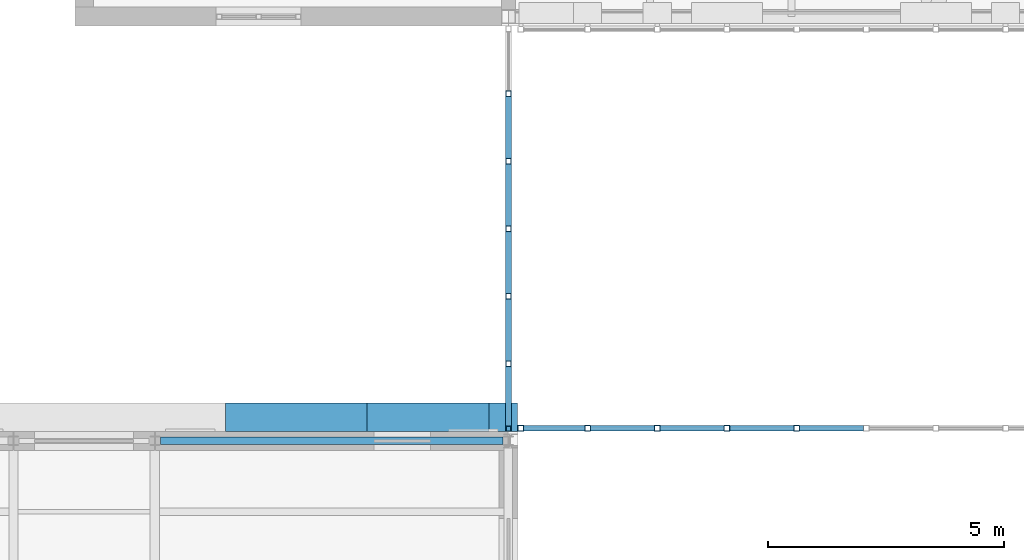
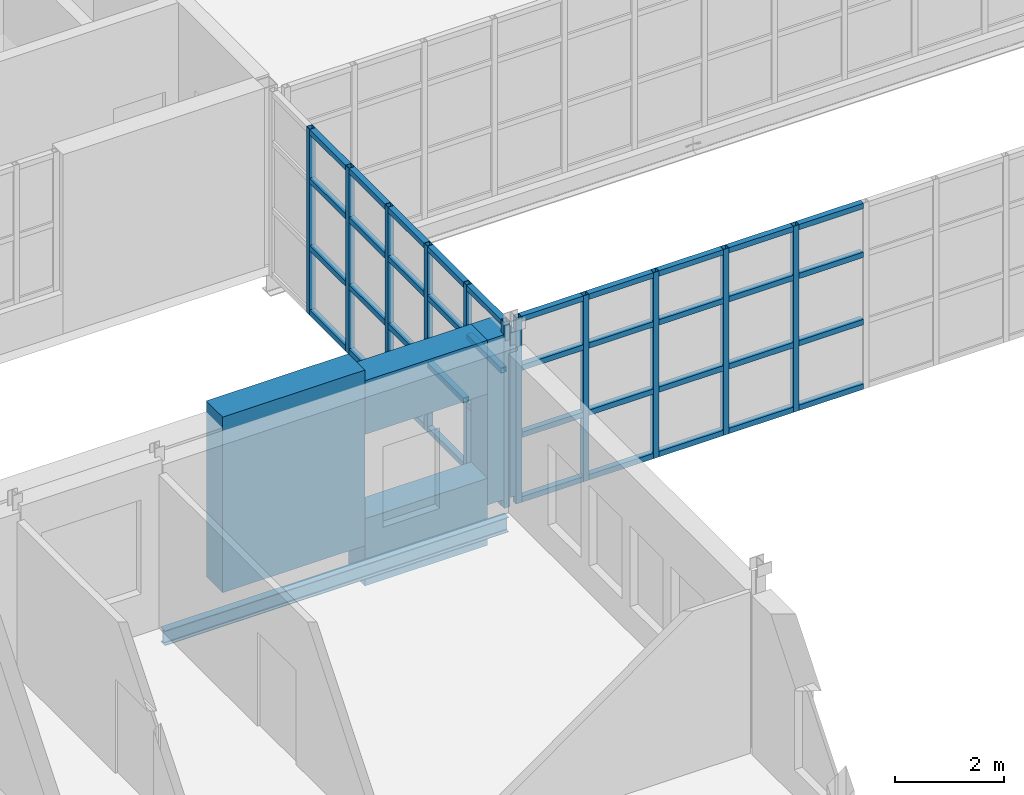
# One storey, part 40 of 154: 53 members, 3 beams, 2 elements without a shape of their own.
"""IFC4 building model written with IfcOpenShell, lengths in metres."""

from ifc_helpers import new_model, si_unit, direction, frame, origin, origin_2d, place, context, subcontext, project, spatial, rectangle, hollow_rectangle, i_section, extrude, material, material_profile, profile_set, type_object, element, aggregate, save


model = new_model("IFC4")

# Units and contexts
model_context = context("Model", 3, precision=1e-05, world=origin(), true_north=direction((0.0, 1.0)))
body_context = subcontext(model_context, "Body", "Model", "MODEL_VIEW")
ifc_project = project(units=[si_unit("LENGTHUNIT", "METRE"), si_unit("AREAUNIT", "SQUARE_METRE"), si_unit("VOLUMEUNIT", "CUBIC_METRE"), si_unit("PLANEANGLEUNIT", "RADIAN"), si_unit("MASSUNIT", "GRAM", prefix="KILO")], contexts=[model_context])

# Site, building, storey
site_placement = place(None, origin())
site = spatial("IfcSite", under=ifc_project, at=site_placement, CompositionType="ELEMENT")
building_placement = place(site_placement, origin())
building = spatial("IfcBuilding", under=site, at=building_placement, Name="Golden Quay Civic Hall", CompositionType="ELEMENT")
storey_placement = place(building_placement, frame((0.0, 0.0, 14.39990234375)))
storey = spatial("IfcBuildingStorey", under=building, at=storey_placement, Name="L03", CompositionType="ELEMENT", Elevation=14.39990234375)

# Curtain wall, members
ifc_material_1 = material(Name="Fire-resisting glass and steel", Category="steel")
curtain_wall_type_1 = type_object("IfcCurtainWallType", Name="Fire-resisting glazed curtain wall EI 120", PredefinedType="NOTDEFINED", material=ifc_material_1)
curtain_wall_1_placement = place(storey_placement, origin())
curtain_wall_1 = element("IfcCurtainWall", 1, at=curtain_wall_1_placement, inside=storey, type_object=curtain_wall_type_1, Name="CW3 curtain wall", PredefinedType="NOTDEFINED")
ifc_material_2 = material(Name="Steel S355", Category="steel")
ifc_material_profile_1 = material_profile(ifc_material_2, hollow_rectangle(XDim=0.1201171875, YDim=0.1201171875, WallThickness=0.008056640625, at=origin_2d()), Name="SHS 120x120x8")
ifc_profile_set_1 = profile_set([ifc_material_profile_1], Name="Steel S355")
member_type_1 = type_object("IfcMemberType", Name="Fire-resisting steel mullion SHS 120x120x8", PredefinedType="MULLION", material=ifc_profile_set_1)
member_1_placement = place(storey_placement, frame((72.260009765625, 54.27001953125, -0.199951171875), z_axis=(0.0, 0.0, 1.0), x_axis=(0.0, 1.0, 0.0)))
member_1 = element("IfcMember", 2, at=member_1_placement, type_object=member_type_1, Name="CW3 mullion 1", PredefinedType="MULLION", context=body_context, shape_type="SweptSolid", body=[
    extrude(hollow_rectangle(XDim=0.1201171875, YDim=0.1201171875, WallThickness=0.008056640625, at=origin_2d()), origin(), (0.0, 0.0, 1.0), 4.150146484375),
])
member_2_placement = place(storey_placement, frame((73.677734375, 54.27001953125, -0.199951171875), z_axis=(0.0, 0.0, 1.0), x_axis=(0.0, 1.0, 0.0)))
member_2 = element("IfcMember", 3, at=member_2_placement, type_object=member_type_1, Name="CW3 mullion 2", PredefinedType="MULLION", context=body_context, shape_type="SweptSolid", body=[
    extrude(hollow_rectangle(XDim=0.1201171875, YDim=0.1201171875, WallThickness=0.008056640625, at=origin_2d()), origin(), (0.0, 0.0, 1.0), 4.150146484375),
])
member_3_placement = place(storey_placement, frame((75.155517578125, 54.27001953125, -0.199951171875), z_axis=(0.0, 0.0, 1.0), x_axis=(0.0, 1.0, 0.0)))
member_3 = element("IfcMember", 4, at=member_3_placement, type_object=member_type_1, Name="CW3 mullion 3", PredefinedType="MULLION", context=body_context, shape_type="SweptSolid", body=[
    extrude(hollow_rectangle(XDim=0.1201171875, YDim=0.1201171875, WallThickness=0.008056640625, at=origin_2d()), origin(), (0.0, 0.0, 1.0), 4.150146484375),
])
member_4_placement = place(storey_placement, frame((76.63330078125, 54.27001953125, -0.199951171875), z_axis=(0.0, 0.0, 1.0), x_axis=(0.0, 1.0, 0.0)))
member_4 = element("IfcMember", 5, at=member_4_placement, type_object=member_type_1, Name="CW3 mullion 4", PredefinedType="MULLION", context=body_context, shape_type="SweptSolid", body=[
    extrude(hollow_rectangle(XDim=0.1201171875, YDim=0.1201171875, WallThickness=0.008056640625, at=origin_2d()), origin(), (0.0, 0.0, 1.0), 4.150146484375),
])
member_5_placement = place(storey_placement, frame((78.111083984375, 54.27001953125, -0.199951171875), z_axis=(0.0, 0.0, 1.0), x_axis=(0.0, 1.0, 0.0)))
member_5 = element("IfcMember", 6, at=member_5_placement, type_object=member_type_1, Name="CW3 mullion 5", PredefinedType="MULLION", context=body_context, shape_type="SweptSolid", body=[
    extrude(hollow_rectangle(XDim=0.1201171875, YDim=0.1201171875, WallThickness=0.008056640625, at=origin_2d()), origin(), (0.0, 0.0, 1.0), 4.150146484375),
])
ifc_material_3 = material(Name="Steel S355", Category="steel")
ifc_material_profile_2 = material_profile(ifc_material_3, hollow_rectangle(XDim=0.1201171875, YDim=0.1201171875, WallThickness=0.008056640625, at=origin_2d()), Name="SHS 120x120x8")
ifc_profile_set_2 = profile_set([ifc_material_profile_2], Name="Steel S355")
member_type_2 = type_object("IfcMemberType", Name="Fire-resisting steel transom SHS 120x120x8", PredefinedType="USERDEFINED", material=ifc_profile_set_2)
member_6_placement = place(storey_placement, frame((72.320068359375, 54.27001953125, -0.139892578125), z_axis=(1.0, 0.0, 0.0), x_axis=(0.0, 1.0, 0.0)))
member_6 = element("IfcMember", 7, at=member_6_placement, type_object=member_type_2, Name="CW3 transom 1.1", ObjectType="TRANSOM", PredefinedType="USERDEFINED", context=body_context, shape_type="SweptSolid", body=[
    extrude(hollow_rectangle(XDim=0.1201171875, YDim=0.1201171875, WallThickness=0.008056640625, at=origin_2d()), origin(), (0.0, 0.0, 1.0), 1.297607421875),
])
member_7_placement = place(storey_placement, frame((72.320068359375, 54.27001953125, 1.300048828125), z_axis=(1.0, 0.0, 0.0), x_axis=(0.0, 1.0, 0.0)))
member_7 = element("IfcMember", 8, at=member_7_placement, type_object=member_type_2, Name="CW3 transom 1.2", ObjectType="TRANSOM", PredefinedType="USERDEFINED", context=body_context, shape_type="SweptSolid", body=[
    extrude(hollow_rectangle(XDim=0.1201171875, YDim=0.1201171875, WallThickness=0.008056640625, at=origin_2d()), origin(), (0.0, 0.0, 1.0), 1.297607421875),
])
member_8_placement = place(storey_placement, frame((72.320068359375, 54.27001953125, 2.800048828125), z_axis=(1.0, 0.0, 0.0), x_axis=(0.0, 1.0, 0.0)))
member_8 = element("IfcMember", 9, at=member_8_placement, type_object=member_type_2, Name="CW3 transom 1.3", ObjectType="TRANSOM", PredefinedType="USERDEFINED", context=body_context, shape_type="SweptSolid", body=[
    extrude(hollow_rectangle(XDim=0.1201171875, YDim=0.1201171875, WallThickness=0.008056640625, at=origin_2d()), origin(), (0.0, 0.0, 1.0), 1.297607421875),
])
member_9_placement = place(storey_placement, frame((72.320068359375, 54.27001953125, 3.89013671875), z_axis=(1.0, 0.0, 0.0), x_axis=(0.0, 1.0, 0.0)))
member_9 = element("IfcMember", 10, at=member_9_placement, type_object=member_type_2, Name="CW3 transom 1.4", ObjectType="TRANSOM", PredefinedType="USERDEFINED", context=body_context, shape_type="SweptSolid", body=[
    extrude(hollow_rectangle(XDim=0.1201171875, YDim=0.1201171875, WallThickness=0.008056640625, at=origin_2d()), origin(), (0.0, 0.0, 1.0), 1.297607421875),
])
member_10_placement = place(storey_placement, frame((73.73779296875, 54.27001953125, -0.139892578125), z_axis=(1.0, 0.0, 0.0), x_axis=(0.0, 1.0, 0.0)))
member_10 = element("IfcMember", 11, at=member_10_placement, type_object=member_type_2, Name="CW3 transom 2.1", ObjectType="TRANSOM", PredefinedType="USERDEFINED", context=body_context, shape_type="SweptSolid", body=[
    extrude(hollow_rectangle(XDim=0.1201171875, YDim=0.1201171875, WallThickness=0.008056640625, at=origin_2d()), origin(), (0.0, 0.0, 1.0), 1.357666015625),
])
member_11_placement = place(storey_placement, frame((73.73779296875, 54.27001953125, 1.300048828125), z_axis=(1.0, 0.0, 0.0), x_axis=(0.0, 1.0, 0.0)))
member_11 = element("IfcMember", 12, at=member_11_placement, type_object=member_type_2, Name="CW3 transom 2.2", ObjectType="TRANSOM", PredefinedType="USERDEFINED", context=body_context, shape_type="SweptSolid", body=[
    extrude(hollow_rectangle(XDim=0.1201171875, YDim=0.1201171875, WallThickness=0.008056640625, at=origin_2d()), origin(), (0.0, 0.0, 1.0), 1.357666015625),
])
member_12_placement = place(storey_placement, frame((73.73779296875, 54.27001953125, 2.800048828125), z_axis=(1.0, 0.0, 0.0), x_axis=(0.0, 1.0, 0.0)))
member_12 = element("IfcMember", 13, at=member_12_placement, type_object=member_type_2, Name="CW3 transom 2.3", ObjectType="TRANSOM", PredefinedType="USERDEFINED", context=body_context, shape_type="SweptSolid", body=[
    extrude(hollow_rectangle(XDim=0.1201171875, YDim=0.1201171875, WallThickness=0.008056640625, at=origin_2d()), origin(), (0.0, 0.0, 1.0), 1.357666015625),
])
member_13_placement = place(storey_placement, frame((73.73779296875, 54.27001953125, 3.89013671875), z_axis=(1.0, 0.0, 0.0), x_axis=(0.0, 1.0, 0.0)))
member_13 = element("IfcMember", 14, at=member_13_placement, type_object=member_type_2, Name="CW3 transom 2.4", ObjectType="TRANSOM", PredefinedType="USERDEFINED", context=body_context, shape_type="SweptSolid", body=[
    extrude(hollow_rectangle(XDim=0.1201171875, YDim=0.1201171875, WallThickness=0.008056640625, at=origin_2d()), origin(), (0.0, 0.0, 1.0), 1.357666015625),
])
member_14_placement = place(storey_placement, frame((75.215576171875, 54.27001953125, -0.139892578125), z_axis=(1.0, 0.0, 0.0), x_axis=(0.0, 1.0, 0.0)))
member_14 = element("IfcMember", 15, at=member_14_placement, type_object=member_type_2, Name="CW3 transom 3.1", ObjectType="TRANSOM", PredefinedType="USERDEFINED", context=body_context, shape_type="SweptSolid", body=[
    extrude(hollow_rectangle(XDim=0.1201171875, YDim=0.1201171875, WallThickness=0.008056640625, at=origin_2d()), origin(), (0.0, 0.0, 1.0), 1.357666015625),
])
member_15_placement = place(storey_placement, frame((75.215576171875, 54.27001953125, 1.300048828125), z_axis=(1.0, 0.0, 0.0), x_axis=(0.0, 1.0, 0.0)))
member_15 = element("IfcMember", 16, at=member_15_placement, type_object=member_type_2, Name="CW3 transom 3.2", ObjectType="TRANSOM", PredefinedType="USERDEFINED", context=body_context, shape_type="SweptSolid", body=[
    extrude(hollow_rectangle(XDim=0.1201171875, YDim=0.1201171875, WallThickness=0.008056640625, at=origin_2d()), origin(), (0.0, 0.0, 1.0), 1.357666015625),
])
member_16_placement = place(storey_placement, frame((75.215576171875, 54.27001953125, 2.800048828125), z_axis=(1.0, 0.0, 0.0), x_axis=(0.0, 1.0, 0.0)))
member_16 = element("IfcMember", 17, at=member_16_placement, type_object=member_type_2, Name="CW3 transom 3.3", ObjectType="TRANSOM", PredefinedType="USERDEFINED", context=body_context, shape_type="SweptSolid", body=[
    extrude(hollow_rectangle(XDim=0.1201171875, YDim=0.1201171875, WallThickness=0.008056640625, at=origin_2d()), origin(), (0.0, 0.0, 1.0), 1.357666015625),
])
member_17_placement = place(storey_placement, frame((75.215576171875, 54.27001953125, 3.89013671875), z_axis=(1.0, 0.0, 0.0), x_axis=(0.0, 1.0, 0.0)))
member_17 = element("IfcMember", 18, at=member_17_placement, type_object=member_type_2, Name="CW3 transom 3.4", ObjectType="TRANSOM", PredefinedType="USERDEFINED", context=body_context, shape_type="SweptSolid", body=[
    extrude(hollow_rectangle(XDim=0.1201171875, YDim=0.1201171875, WallThickness=0.008056640625, at=origin_2d()), origin(), (0.0, 0.0, 1.0), 1.357666015625),
])
member_18_placement = place(storey_placement, frame((76.693359375, 54.27001953125, -0.139892578125), z_axis=(1.0, 0.0, 0.0), x_axis=(0.0, 1.0, 0.0)))
member_18 = element("IfcMember", 19, at=member_18_placement, type_object=member_type_2, Name="CW3 transom 4.1", ObjectType="TRANSOM", PredefinedType="USERDEFINED", context=body_context, shape_type="SweptSolid", body=[
    extrude(hollow_rectangle(XDim=0.1201171875, YDim=0.1201171875, WallThickness=0.008056640625, at=origin_2d()), origin(), (0.0, 0.0, 1.0), 1.357666015625),
])
member_19_placement = place(storey_placement, frame((76.693359375, 54.27001953125, 1.300048828125), z_axis=(1.0, 0.0, 0.0), x_axis=(0.0, 1.0, 0.0)))
member_19 = element("IfcMember", 20, at=member_19_placement, type_object=member_type_2, Name="CW3 transom 4.2", ObjectType="TRANSOM", PredefinedType="USERDEFINED", context=body_context, shape_type="SweptSolid", body=[
    extrude(hollow_rectangle(XDim=0.1201171875, YDim=0.1201171875, WallThickness=0.008056640625, at=origin_2d()), origin(), (0.0, 0.0, 1.0), 1.357666015625),
])
member_20_placement = place(storey_placement, frame((76.693359375, 54.27001953125, 2.800048828125), z_axis=(1.0, 0.0, 0.0), x_axis=(0.0, 1.0, 0.0)))
member_20 = element("IfcMember", 21, at=member_20_placement, type_object=member_type_2, Name="CW3 transom 4.3", ObjectType="TRANSOM", PredefinedType="USERDEFINED", context=body_context, shape_type="SweptSolid", body=[
    extrude(hollow_rectangle(XDim=0.1201171875, YDim=0.1201171875, WallThickness=0.008056640625, at=origin_2d()), origin(), (0.0, 0.0, 1.0), 1.357666015625),
])
member_21_placement = place(storey_placement, frame((76.693359375, 54.27001953125, 3.89013671875), z_axis=(1.0, 0.0, 0.0), x_axis=(0.0, 1.0, 0.0)))
member_21 = element("IfcMember", 22, at=member_21_placement, type_object=member_type_2, Name="CW3 transom 4.4", ObjectType="TRANSOM", PredefinedType="USERDEFINED", context=body_context, shape_type="SweptSolid", body=[
    extrude(hollow_rectangle(XDim=0.1201171875, YDim=0.1201171875, WallThickness=0.008056640625, at=origin_2d()), origin(), (0.0, 0.0, 1.0), 1.357666015625),
])
member_22_placement = place(storey_placement, frame((78.171142578125, 54.27001953125, -0.139892578125), z_axis=(1.0, 0.0, 0.0), x_axis=(0.0, 1.0, 0.0)))
member_22 = element("IfcMember", 23, at=member_22_placement, type_object=member_type_2, Name="CW3 transom 5.1", ObjectType="TRANSOM", PredefinedType="USERDEFINED", context=body_context, shape_type="SweptSolid", body=[
    extrude(hollow_rectangle(XDim=0.1201171875, YDim=0.1201171875, WallThickness=0.008056640625, at=origin_2d()), origin(), (0.0, 0.0, 1.0), 1.357666015625),
])
member_23_placement = place(storey_placement, frame((78.171142578125, 54.27001953125, 1.300048828125), z_axis=(1.0, 0.0, 0.0), x_axis=(0.0, 1.0, 0.0)))
member_23 = element("IfcMember", 24, at=member_23_placement, type_object=member_type_2, Name="CW3 transom 5.2", ObjectType="TRANSOM", PredefinedType="USERDEFINED", context=body_context, shape_type="SweptSolid", body=[
    extrude(hollow_rectangle(XDim=0.1201171875, YDim=0.1201171875, WallThickness=0.008056640625, at=origin_2d()), origin(), (0.0, 0.0, 1.0), 1.357666015625),
])
member_24_placement = place(storey_placement, frame((78.171142578125, 54.27001953125, 2.800048828125), z_axis=(1.0, 0.0, 0.0), x_axis=(0.0, 1.0, 0.0)))
member_24 = element("IfcMember", 25, at=member_24_placement, type_object=member_type_2, Name="CW3 transom 5.3", ObjectType="TRANSOM", PredefinedType="USERDEFINED", context=body_context, shape_type="SweptSolid", body=[
    extrude(hollow_rectangle(XDim=0.1201171875, YDim=0.1201171875, WallThickness=0.008056640625, at=origin_2d()), origin(), (0.0, 0.0, 1.0), 1.357666015625),
])
member_25_placement = place(storey_placement, frame((78.171142578125, 54.27001953125, 3.89013671875), z_axis=(1.0, 0.0, 0.0), x_axis=(0.0, 1.0, 0.0)))
member_25 = element("IfcMember", 26, at=member_25_placement, type_object=member_type_2, Name="CW3 transom 5.4", ObjectType="TRANSOM", PredefinedType="USERDEFINED", context=body_context, shape_type="SweptSolid", body=[
    extrude(hollow_rectangle(XDim=0.1201171875, YDim=0.1201171875, WallThickness=0.008056640625, at=origin_2d()), origin(), (0.0, 0.0, 1.0), 1.357666015625),
])
aggregate(curtain_wall_1, [member_1, member_2, member_3, member_4, member_5, member_6, member_7, member_8, member_9, member_10, member_11, member_12, member_13, member_14, member_15, member_16, member_17, member_18, member_19, member_20, member_21, member_22, member_23, member_24, member_25])

# Members
ifc_material_4 = material(Name="Concrete C40/50", Category="concrete")
ifc_material_profile_3 = material_profile(ifc_material_4, rectangle(XDim=3.0, YDim=0.60009765625, at=origin_2d()), Name="RC 3000x600")
ifc_profile_set_3 = profile_set([ifc_material_profile_3], Name="Concrete C40/50")
member_type_3 = type_object("IfcMemberType", Name="Precast concrete facade pier 3000 x 600", PredefinedType="POST", material=ifc_profile_set_3)
member_26_placement = place(storey_placement, frame((67.5, 54.5, 0.0), z_axis=(0.0, 0.0, 1.0), x_axis=(1.0, 0.0, 0.0)))
element("IfcMember", 27, at=member_26_placement, inside=storey, type_object=member_type_3, Name="Precast concrete facade pier 3000 x 600 L03 24", PredefinedType="POST", context=body_context, shape_type="SweptSolid", body=[
    extrude(rectangle(XDim=3.0, YDim=0.60009765625, at=origin_2d()), origin(), (0.0, 0.0, 1.0), 3.920166015625),
])
ifc_material_5 = material(Name="Concrete C40/50", Category="concrete")
ifc_material_profile_4 = material_profile(ifc_material_5, rectangle(XDim=0.60009765625, YDim=0.60009765625, at=origin_2d()), Name="RC 600x600")
ifc_profile_set_4 = profile_set([ifc_material_profile_4], Name="Concrete C40/50")
member_type_4 = type_object("IfcMemberType", Name="Precast concrete facade post 600 x 600", PredefinedType="POST", material=ifc_profile_set_4)
member_27_placement = place(storey_placement, frame((71.889892578125, 54.5, 0.0), z_axis=(0.0, 0.0, 1.0), x_axis=(1.0, 0.0, 0.0)))
element("IfcMember", 28, at=member_27_placement, inside=storey, type_object=member_type_4, Name="Precast concrete facade post 600 x 600 L03 8", PredefinedType="POST", context=body_context, shape_type="SweptSolid", body=[
    extrude(rectangle(XDim=0.60009765625, YDim=0.60009765625, at=origin_2d()), origin(), (0.0, 0.0, 1.0), 3.68017578125),
])

# Beams
ifc_material_6 = material(Name="Concrete C40/50", Category="concrete")
ifc_material_profile_5 = material_profile(ifc_material_6, rectangle(XDim=0.60009765625, YDim=1.199951171875, at=origin_2d()), Name="RC 600x1200")
ifc_profile_set_5 = profile_set([ifc_material_profile_5], Name="Concrete C40/50")
beam_type_1 = type_object("IfcBeamType", Name="Precast concrete spandrel beam 600 x 1200", PredefinedType="SPANDREL", material=ifc_profile_set_5)
beam_1_placement = place(storey_placement, frame((69.0, 54.5, 3.080078125), z_axis=(1.0, 0.0, 0.0), x_axis=(0.0, 1.0, 0.0)))
element("IfcBeam", 29, at=beam_1_placement, inside=storey, type_object=beam_type_1, Name="Precast concrete spandrel beam 600 x 1200 L03 3", PredefinedType="SPANDREL", context=body_context, shape_type="SweptSolid", body=[
    extrude(rectangle(XDim=0.60009765625, YDim=1.199951171875, at=origin_2d()), origin(), (0.0, 0.0, 1.0), 2.590087890625),
])
ifc_material_7 = material(Name="Concrete C40/50", Category="concrete")
ifc_material_profile_6 = material_profile(ifc_material_7, rectangle(XDim=0.60009765625, YDim=1.5, at=origin_2d()), Name="RC 600x1500")
ifc_profile_set_6 = profile_set([ifc_material_profile_6], Name="Concrete C40/50")
beam_type_2 = type_object("IfcBeamType", Name="Precast concrete spandrel beam 600 x 1500", PredefinedType="SPANDREL", material=ifc_profile_set_6)
beam_2_placement = place(storey_placement, frame((69.0, 54.5, -0.14990234375), z_axis=(1.0, 0.0, 0.0), x_axis=(0.0, 1.0, 0.0)))
element("IfcBeam", 30, at=beam_2_placement, inside=storey, type_object=beam_type_2, Name="Precast concrete spandrel beam 600 x 1500 L03 22", PredefinedType="SPANDREL", context=body_context, shape_type="SweptSolid", body=[
    extrude(rectangle(XDim=0.60009765625, YDim=1.5, at=origin_2d()), origin(), (0.0, 0.0, 1.0), 2.590087890625),
])
ifc_material_8 = material(Name="Steel S355", Category="steel")
ifc_material_profile_7 = material_profile(ifc_material_8, i_section(OverallWidth=0.159912109375, OverallDepth=0.330078125, WebThickness=0.007568359375, FlangeThickness=0.011474609375, FilletRadius=0.01806640625, at=origin_2d()), Name="IPE 330")
ifc_profile_set_7 = profile_set([ifc_material_profile_7], Name="Steel S355")
beam_type_3 = type_object("IfcBeamType", Name="Steel beam IPE 330", PredefinedType="BEAM", material=ifc_profile_set_7)
beam_3_placement = place(storey_placement, frame((64.6201171875, 54.0, -0.364990234375), z_axis=(1.0, 0.0, 0.0), x_axis=(0.0, 1.0, 0.0)))
element("IfcBeam", 31, at=beam_3_placement, inside=storey, type_object=beam_type_3, Name="Beam S54-64.5", PredefinedType="BEAM", context=body_context, shape_type="SweptSolid", body=[
    extrude(i_section(OverallWidth=0.159912109375, OverallDepth=0.330078125, WebThickness=0.007568359375, FlangeThickness=0.011474609375, FilletRadius=0.01806640625, at=origin_2d()), origin(), (0.0, 0.0, 1.0), 7.259765625),
])

# Curtain wall, members
ifc_material_9 = material(Name="Glass and aluminium", Category="aluminium")
curtain_wall_type_2 = type_object("IfcCurtainWallType", Name="Glazed curtain wall 1500 module", PredefinedType="NOTDEFINED", material=ifc_material_9)
curtain_wall_2_placement = place(storey_placement, origin())
curtain_wall_2 = element("IfcCurtainWall", 32, at=curtain_wall_2_placement, inside=storey, type_object=curtain_wall_type_2, Name="CW1 curtain wall", PredefinedType="NOTDEFINED")
ifc_material_10 = material(Name="Steel S355", Category="steel")
ifc_material_profile_8 = material_profile(ifc_material_10, hollow_rectangle(XDim=0.1201171875, YDim=0.1201171875, WallThickness=0.008056640625, at=origin_2d()), Name="SHS 120x120x8")
ifc_profile_set_8 = profile_set([ifc_material_profile_8], Name="Steel S355")
member_type_5 = type_object("IfcMemberType", Name="Steel mullion SHS 120x120x8", PredefinedType="MULLION", material=ifc_profile_set_8)
member_28_placement = place(storey_placement, frame((72.0, 54.260009765625, -0.199951171875), z_axis=(0.0, 0.0, 1.0), x_axis=(-1.0, 0.0, 0.0)))
member_28 = element("IfcMember", 33, at=member_28_placement, type_object=member_type_5, Name="CW1 mullion 1", PredefinedType="MULLION", context=body_context, shape_type="SweptSolid", body=[
    extrude(hollow_rectangle(XDim=0.1201171875, YDim=0.1201171875, WallThickness=0.008056640625, at=origin_2d()), origin(), (0.0, 0.0, 1.0), 4.150146484375),
])
member_29_placement = place(storey_placement, frame((72.0, 55.63330078125, -0.199951171875), z_axis=(0.0, 0.0, 1.0), x_axis=(-1.0, 0.0, 0.0)))
member_29 = element("IfcMember", 34, at=member_29_placement, type_object=member_type_5, Name="CW1 mullion 2", PredefinedType="MULLION", context=body_context, shape_type="SweptSolid", body=[
    extrude(hollow_rectangle(XDim=0.1201171875, YDim=0.1201171875, WallThickness=0.008056640625, at=origin_2d()), origin(), (0.0, 0.0, 1.0), 4.150146484375),
])
member_30_placement = place(storey_placement, frame((72.0, 57.066650390625, -0.199951171875), z_axis=(0.0, 0.0, 1.0), x_axis=(-1.0, 0.0, 0.0)))
member_30 = element("IfcMember", 35, at=member_30_placement, type_object=member_type_5, Name="CW1 mullion 3", PredefinedType="MULLION", context=body_context, shape_type="SweptSolid", body=[
    extrude(hollow_rectangle(XDim=0.1201171875, YDim=0.1201171875, WallThickness=0.008056640625, at=origin_2d()), origin(), (0.0, 0.0, 1.0), 4.150146484375),
])
member_31_placement = place(storey_placement, frame((72.0, 58.5, -0.199951171875), z_axis=(0.0, 0.0, 1.0), x_axis=(-1.0, 0.0, 0.0)))
member_31 = element("IfcMember", 36, at=member_31_placement, type_object=member_type_5, Name="CW1 mullion 4", PredefinedType="MULLION", context=body_context, shape_type="SweptSolid", body=[
    extrude(hollow_rectangle(XDim=0.1201171875, YDim=0.1201171875, WallThickness=0.008056640625, at=origin_2d()), origin(), (0.0, 0.0, 1.0), 4.150146484375),
])
member_32_placement = place(storey_placement, frame((72.0, 59.933349609375, -0.199951171875), z_axis=(0.0, 0.0, 1.0), x_axis=(-1.0, 0.0, 0.0)))
member_32 = element("IfcMember", 37, at=member_32_placement, type_object=member_type_5, Name="CW1 mullion 5", PredefinedType="MULLION", context=body_context, shape_type="SweptSolid", body=[
    extrude(hollow_rectangle(XDim=0.1201171875, YDim=0.1201171875, WallThickness=0.008056640625, at=origin_2d()), origin(), (0.0, 0.0, 1.0), 4.150146484375),
])
member_33_placement = place(storey_placement, frame((72.0, 61.36669921875, -0.199951171875), z_axis=(0.0, 0.0, 1.0), x_axis=(-1.0, 0.0, 0.0)))
member_33 = element("IfcMember", 38, at=member_33_placement, type_object=member_type_5, Name="CW1 mullion 6", PredefinedType="MULLION", context=body_context, shape_type="SweptSolid", body=[
    extrude(hollow_rectangle(XDim=0.1201171875, YDim=0.1201171875, WallThickness=0.008056640625, at=origin_2d()), origin(), (0.0, 0.0, 1.0), 4.150146484375),
])
ifc_material_11 = material(Name="Steel S355", Category="steel")
ifc_material_profile_9 = material_profile(ifc_material_11, hollow_rectangle(XDim=0.1201171875, YDim=0.1201171875, WallThickness=0.008056640625, at=origin_2d()), Name="SHS 120x120x8")
ifc_profile_set_9 = profile_set([ifc_material_profile_9], Name="Steel S355")
member_type_6 = type_object("IfcMemberType", Name="Steel transom SHS 120x120x8", PredefinedType="USERDEFINED", material=ifc_profile_set_9)
member_34_placement = place(storey_placement, frame((72.0, 54.320068359375, -0.139892578125), z_axis=(0.0, 1.0, 0.0), x_axis=(-1.0, 0.0, 0.0)))
member_34 = element("IfcMember", 39, at=member_34_placement, type_object=member_type_6, Name="CW1 transom 1.1", ObjectType="TRANSOM", PredefinedType="USERDEFINED", context=body_context, shape_type="SweptSolid", body=[
    extrude(hollow_rectangle(XDim=0.1201171875, YDim=0.1201171875, WallThickness=0.008056640625, at=origin_2d()), origin(), (0.0, 0.0, 1.0), 1.253173828125),
])
member_35_placement = place(storey_placement, frame((72.0, 54.320068359375, 1.300048828125), z_axis=(0.0, 1.0, 0.0), x_axis=(-1.0, 0.0, 0.0)))
member_35 = element("IfcMember", 40, at=member_35_placement, type_object=member_type_6, Name="CW1 transom 1.2", ObjectType="TRANSOM", PredefinedType="USERDEFINED", context=body_context, shape_type="SweptSolid", body=[
    extrude(hollow_rectangle(XDim=0.1201171875, YDim=0.1201171875, WallThickness=0.008056640625, at=origin_2d()), origin(), (0.0, 0.0, 1.0), 1.253173828125),
])
member_36_placement = place(storey_placement, frame((72.0, 54.320068359375, 2.800048828125), z_axis=(0.0, 1.0, 0.0), x_axis=(-1.0, 0.0, 0.0)))
member_36 = element("IfcMember", 41, at=member_36_placement, type_object=member_type_6, Name="CW1 transom 1.3", ObjectType="TRANSOM", PredefinedType="USERDEFINED", context=body_context, shape_type="SweptSolid", body=[
    extrude(hollow_rectangle(XDim=0.1201171875, YDim=0.1201171875, WallThickness=0.008056640625, at=origin_2d()), origin(), (0.0, 0.0, 1.0), 1.253173828125),
])
member_37_placement = place(storey_placement, frame((72.0, 54.320068359375, 3.89013671875), z_axis=(0.0, 1.0, 0.0), x_axis=(-1.0, 0.0, 0.0)))
member_37 = element("IfcMember", 42, at=member_37_placement, type_object=member_type_6, Name="CW1 transom 1.4", ObjectType="TRANSOM", PredefinedType="USERDEFINED", context=body_context, shape_type="SweptSolid", body=[
    extrude(hollow_rectangle(XDim=0.1201171875, YDim=0.1201171875, WallThickness=0.008056640625, at=origin_2d()), origin(), (0.0, 0.0, 1.0), 1.253173828125),
])
member_38_placement = place(storey_placement, frame((72.0, 55.693359375, -0.139892578125), z_axis=(0.0, 1.0, 0.0), x_axis=(-1.0, 0.0, 0.0)))
member_38 = element("IfcMember", 43, at=member_38_placement, type_object=member_type_6, Name="CW1 transom 2.1", ObjectType="TRANSOM", PredefinedType="USERDEFINED", context=body_context, shape_type="SweptSolid", body=[
    extrude(hollow_rectangle(XDim=0.1201171875, YDim=0.1201171875, WallThickness=0.008056640625, at=origin_2d()), origin(), (0.0, 0.0, 1.0), 1.313232421875),
])
member_39_placement = place(storey_placement, frame((72.0, 55.693359375, 1.300048828125), z_axis=(0.0, 1.0, 0.0), x_axis=(-1.0, 0.0, 0.0)))
member_39 = element("IfcMember", 44, at=member_39_placement, type_object=member_type_6, Name="CW1 transom 2.2", ObjectType="TRANSOM", PredefinedType="USERDEFINED", context=body_context, shape_type="SweptSolid", body=[
    extrude(hollow_rectangle(XDim=0.1201171875, YDim=0.1201171875, WallThickness=0.008056640625, at=origin_2d()), origin(), (0.0, 0.0, 1.0), 1.313232421875),
])
member_40_placement = place(storey_placement, frame((72.0, 55.693359375, 2.800048828125), z_axis=(0.0, 1.0, 0.0), x_axis=(-1.0, 0.0, 0.0)))
member_40 = element("IfcMember", 45, at=member_40_placement, type_object=member_type_6, Name="CW1 transom 2.3", ObjectType="TRANSOM", PredefinedType="USERDEFINED", context=body_context, shape_type="SweptSolid", body=[
    extrude(hollow_rectangle(XDim=0.1201171875, YDim=0.1201171875, WallThickness=0.008056640625, at=origin_2d()), origin(), (0.0, 0.0, 1.0), 1.313232421875),
])
member_41_placement = place(storey_placement, frame((72.0, 55.693359375, 3.89013671875), z_axis=(0.0, 1.0, 0.0), x_axis=(-1.0, 0.0, 0.0)))
member_41 = element("IfcMember", 46, at=member_41_placement, type_object=member_type_6, Name="CW1 transom 2.4", ObjectType="TRANSOM", PredefinedType="USERDEFINED", context=body_context, shape_type="SweptSolid", body=[
    extrude(hollow_rectangle(XDim=0.1201171875, YDim=0.1201171875, WallThickness=0.008056640625, at=origin_2d()), origin(), (0.0, 0.0, 1.0), 1.313232421875),
])
member_42_placement = place(storey_placement, frame((72.0, 57.126708984375, -0.139892578125), z_axis=(0.0, 1.0, 0.0), x_axis=(-1.0, 0.0, 0.0)))
member_42 = element("IfcMember", 47, at=member_42_placement, type_object=member_type_6, Name="CW1 transom 3.1", ObjectType="TRANSOM", PredefinedType="USERDEFINED", context=body_context, shape_type="SweptSolid", body=[
    extrude(hollow_rectangle(XDim=0.1201171875, YDim=0.1201171875, WallThickness=0.008056640625, at=origin_2d()), origin(), (0.0, 0.0, 1.0), 1.313232421875),
])
member_43_placement = place(storey_placement, frame((72.0, 57.126708984375, 1.300048828125), z_axis=(0.0, 1.0, 0.0), x_axis=(-1.0, 0.0, 0.0)))
member_43 = element("IfcMember", 48, at=member_43_placement, type_object=member_type_6, Name="CW1 transom 3.2", ObjectType="TRANSOM", PredefinedType="USERDEFINED", context=body_context, shape_type="SweptSolid", body=[
    extrude(hollow_rectangle(XDim=0.1201171875, YDim=0.1201171875, WallThickness=0.008056640625, at=origin_2d()), origin(), (0.0, 0.0, 1.0), 1.313232421875),
])
member_44_placement = place(storey_placement, frame((72.0, 57.126708984375, 2.800048828125), z_axis=(0.0, 1.0, 0.0), x_axis=(-1.0, 0.0, 0.0)))
member_44 = element("IfcMember", 49, at=member_44_placement, type_object=member_type_6, Name="CW1 transom 3.3", ObjectType="TRANSOM", PredefinedType="USERDEFINED", context=body_context, shape_type="SweptSolid", body=[
    extrude(hollow_rectangle(XDim=0.1201171875, YDim=0.1201171875, WallThickness=0.008056640625, at=origin_2d()), origin(), (0.0, 0.0, 1.0), 1.313232421875),
])
member_45_placement = place(storey_placement, frame((72.0, 57.126708984375, 3.89013671875), z_axis=(0.0, 1.0, 0.0), x_axis=(-1.0, 0.0, 0.0)))
member_45 = element("IfcMember", 50, at=member_45_placement, type_object=member_type_6, Name="CW1 transom 3.4", ObjectType="TRANSOM", PredefinedType="USERDEFINED", context=body_context, shape_type="SweptSolid", body=[
    extrude(hollow_rectangle(XDim=0.1201171875, YDim=0.1201171875, WallThickness=0.008056640625, at=origin_2d()), origin(), (0.0, 0.0, 1.0), 1.313232421875),
])
member_46_placement = place(storey_placement, frame((72.0, 58.56005859375, -0.139892578125), z_axis=(0.0, 1.0, 0.0), x_axis=(-1.0, 0.0, 0.0)))
member_46 = element("IfcMember", 51, at=member_46_placement, type_object=member_type_6, Name="CW1 transom 4.1", ObjectType="TRANSOM", PredefinedType="USERDEFINED", context=body_context, shape_type="SweptSolid", body=[
    extrude(hollow_rectangle(XDim=0.1201171875, YDim=0.1201171875, WallThickness=0.008056640625, at=origin_2d()), origin(), (0.0, 0.0, 1.0), 1.313232421875),
])
member_47_placement = place(storey_placement, frame((72.0, 58.56005859375, 1.300048828125), z_axis=(0.0, 1.0, 0.0), x_axis=(-1.0, 0.0, 0.0)))
member_47 = element("IfcMember", 52, at=member_47_placement, type_object=member_type_6, Name="CW1 transom 4.2", ObjectType="TRANSOM", PredefinedType="USERDEFINED", context=body_context, shape_type="SweptSolid", body=[
    extrude(hollow_rectangle(XDim=0.1201171875, YDim=0.1201171875, WallThickness=0.008056640625, at=origin_2d()), origin(), (0.0, 0.0, 1.0), 1.313232421875),
])
member_48_placement = place(storey_placement, frame((72.0, 58.56005859375, 2.800048828125), z_axis=(0.0, 1.0, 0.0), x_axis=(-1.0, 0.0, 0.0)))
member_48 = element("IfcMember", 53, at=member_48_placement, type_object=member_type_6, Name="CW1 transom 4.3", ObjectType="TRANSOM", PredefinedType="USERDEFINED", context=body_context, shape_type="SweptSolid", body=[
    extrude(hollow_rectangle(XDim=0.1201171875, YDim=0.1201171875, WallThickness=0.008056640625, at=origin_2d()), origin(), (0.0, 0.0, 1.0), 1.313232421875),
])
member_49_placement = place(storey_placement, frame((72.0, 58.56005859375, 3.89013671875), z_axis=(0.0, 1.0, 0.0), x_axis=(-1.0, 0.0, 0.0)))
member_49 = element("IfcMember", 54, at=member_49_placement, type_object=member_type_6, Name="CW1 transom 4.4", ObjectType="TRANSOM", PredefinedType="USERDEFINED", context=body_context, shape_type="SweptSolid", body=[
    extrude(hollow_rectangle(XDim=0.1201171875, YDim=0.1201171875, WallThickness=0.008056640625, at=origin_2d()), origin(), (0.0, 0.0, 1.0), 1.313232421875),
])
member_50_placement = place(storey_placement, frame((72.0, 59.993408203125, -0.139892578125), z_axis=(0.0, 1.0, 0.0), x_axis=(-1.0, 0.0, 0.0)))
member_50 = element("IfcMember", 55, at=member_50_placement, type_object=member_type_6, Name="CW1 transom 5.1", ObjectType="TRANSOM", PredefinedType="USERDEFINED", context=body_context, shape_type="SweptSolid", body=[
    extrude(hollow_rectangle(XDim=0.1201171875, YDim=0.1201171875, WallThickness=0.008056640625, at=origin_2d()), origin(), (0.0, 0.0, 1.0), 1.313232421875),
])
member_51_placement = place(storey_placement, frame((72.0, 59.993408203125, 1.300048828125), z_axis=(0.0, 1.0, 0.0), x_axis=(-1.0, 0.0, 0.0)))
member_51 = element("IfcMember", 56, at=member_51_placement, type_object=member_type_6, Name="CW1 transom 5.2", ObjectType="TRANSOM", PredefinedType="USERDEFINED", context=body_context, shape_type="SweptSolid", body=[
    extrude(hollow_rectangle(XDim=0.1201171875, YDim=0.1201171875, WallThickness=0.008056640625, at=origin_2d()), origin(), (0.0, 0.0, 1.0), 1.313232421875),
])
member_52_placement = place(storey_placement, frame((72.0, 59.993408203125, 2.800048828125), z_axis=(0.0, 1.0, 0.0), x_axis=(-1.0, 0.0, 0.0)))
member_52 = element("IfcMember", 57, at=member_52_placement, type_object=member_type_6, Name="CW1 transom 5.3", ObjectType="TRANSOM", PredefinedType="USERDEFINED", context=body_context, shape_type="SweptSolid", body=[
    extrude(hollow_rectangle(XDim=0.1201171875, YDim=0.1201171875, WallThickness=0.008056640625, at=origin_2d()), origin(), (0.0, 0.0, 1.0), 1.313232421875),
])
member_53_placement = place(storey_placement, frame((72.0, 59.993408203125, 3.89013671875), z_axis=(0.0, 1.0, 0.0), x_axis=(-1.0, 0.0, 0.0)))
member_53 = element("IfcMember", 58, at=member_53_placement, type_object=member_type_6, Name="CW1 transom 5.4", ObjectType="TRANSOM", PredefinedType="USERDEFINED", context=body_context, shape_type="SweptSolid", body=[
    extrude(hollow_rectangle(XDim=0.1201171875, YDim=0.1201171875, WallThickness=0.008056640625, at=origin_2d()), origin(), (0.0, 0.0, 1.0), 1.313232421875),
])
aggregate(curtain_wall_2, [member_28, member_29, member_30, member_31, member_32, member_33, member_34, member_35, member_36, member_37, member_38, member_39, member_40, member_41, member_42, member_43, member_44, member_45, member_46, member_47, member_48, member_49, member_50, member_51, member_52, member_53])

save(model, "model.ifc")
